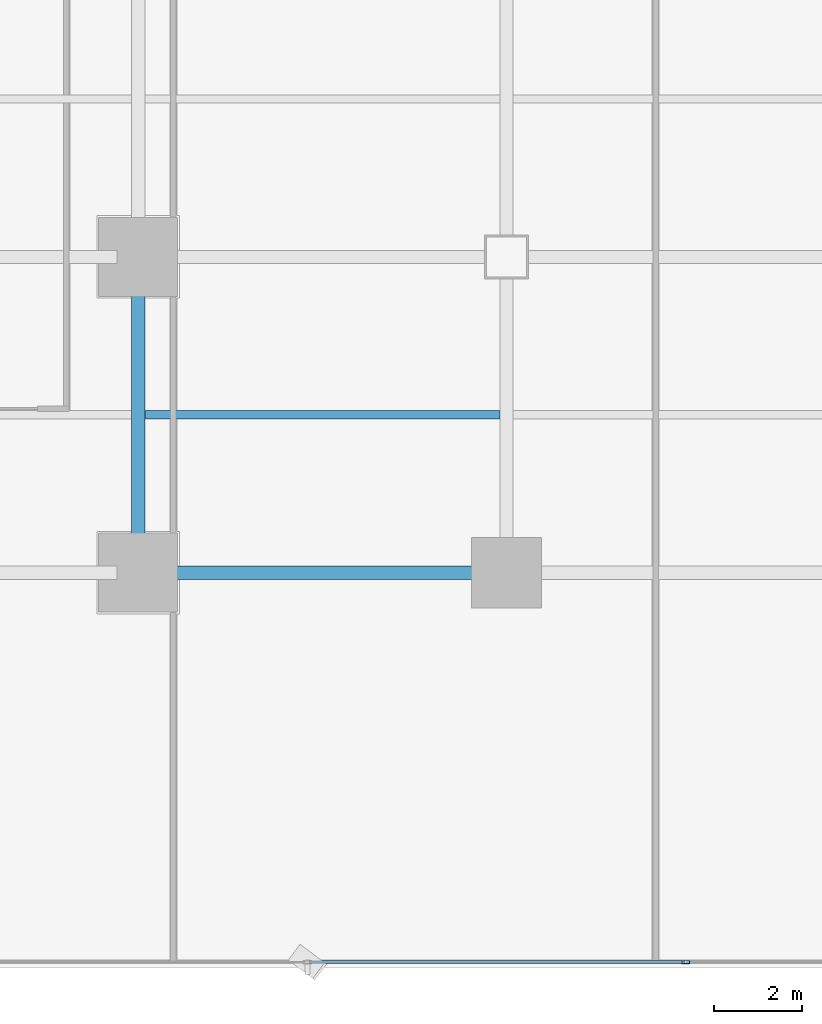
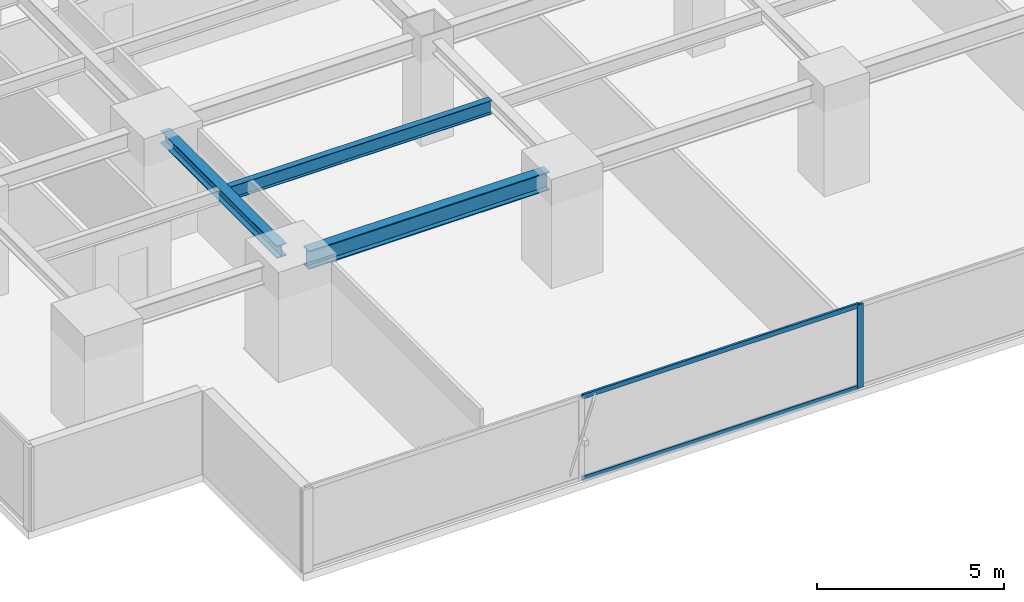
# One storey, part 4 of 33: 3 beams, 3 members, 1 element without a shape of its own.
"""IFC4 building model written with IfcOpenShell, lengths in metres."""

from ifc_helpers import new_model, si_unit, direction, frame, origin, origin_2d, place, context, subcontext, project, spatial, hollow_rectangle, i_section, extrude, source, transform, mapped, material, layer, layer_set, material_profile, profile_set, type_object, element, aggregate, save


model = new_model("IFC4")

# Units and contexts
model_context = context("Model", 3, precision=1e-05, world=origin(), true_north=direction((0.0, 1.0)))
body_context = subcontext(model_context, "Body", "Model", "MODEL_VIEW")
ifc_project = project(units=[si_unit("LENGTHUNIT", "METRE"), si_unit("AREAUNIT", "SQUARE_METRE"), si_unit("VOLUMEUNIT", "CUBIC_METRE"), si_unit("PLANEANGLEUNIT", "RADIAN"), si_unit("MASSUNIT", "GRAM", prefix="KILO")], contexts=[model_context])

# Site, building, storey
site_placement = place(None, origin())
site = spatial("IfcSite", under=ifc_project, at=site_placement, CompositionType="ELEMENT")
building_placement = place(site_placement, origin())
building = spatial("IfcBuilding", under=site, at=building_placement, Name="Sumidabori Civic Tower", CompositionType="ELEMENT")
storey_placement = place(building_placement, frame((0.0, 0.0, 23.60009765625)))
storey = spatial("IfcBuildingStorey", under=building, at=storey_placement, Name="L05", CompositionType="ELEMENT", Elevation=23.60009765625)

# Beams
ifc_material_1 = material(Name="Steel SN490", Category="steel")
ifc_material_profile_1 = material_profile(ifc_material_1, i_section(OverallWidth=0.300048828125, OverallDepth=0.60009765625, WebThickness=0.015380859375, FlangeThickness=0.030029296875, at=origin_2d()), Name="HE 600 B")
ifc_profile_set_1 = profile_set([ifc_material_profile_1], Name="Steel SN490")
beam_type_1 = type_object("IfcBeamType", Name="BM-GIRD-600", PredefinedType="BEAM", material=ifc_profile_set_1)
shared_shape_1 = source(origin(), body_context, "Body", "SweptSolid", [
    extrude(i_section(OverallWidth=0.300048828125, OverallDepth=0.60009765625, WebThickness=0.015380859375, FlangeThickness=0.030029296875, at=origin_2d()), origin(), (0.0, 0.0, 1.0), 7.440185546875),
])
beam_1_placement = place(storey_placement, frame((-16.320068359375, -18.0, 3.059814453125), z_axis=(1.0, 0.0, 0.0), x_axis=(0.0, 1.0, 0.0)))
element("IfcBeam", 1, at=beam_1_placement, inside=storey, type_object=beam_type_1, Name="Primary Girder L05 GX-02", PredefinedType="BEAM", context=body_context, shape_type="MappedRepresentation", body=[
    mapped(shared_shape_1, transform((0.0, 0.0, 0.0), x_axis=(1.0, 0.0, 0.0), y_axis=(0.0, 1.0, 0.0), z_axis=(0.0, 0.0, 1.0), scale=1.0)),
])
ifc_material_profile_2 = material_profile(ifc_material_1, i_section(OverallWidth=0.300048828125, OverallDepth=0.39990234375, WebThickness=0.013427734375, FlangeThickness=0.02392578125, at=origin_2d()), Name="HE 400 B")
ifc_profile_set_2 = profile_set([ifc_material_profile_2], Name="Steel SN490")
beam_type_2 = type_object("IfcBeamType", Name="BM-GIRD-400", PredefinedType="BEAM", material=ifc_profile_set_2)
shared_shape_2 = source(origin(), body_context, "Body", "SweptSolid", [
    extrude(i_section(OverallWidth=0.300048828125, OverallDepth=0.39990234375, WebThickness=0.013427734375, FlangeThickness=0.02392578125, at=origin_2d()), origin(), (0.0, 0.0, 1.0), 6.239990234375),
])
beam_2_placement = place(storey_placement, frame((-16.800048828125, -17.52001953125, 3.159912109375), z_axis=(0.0, 1.0, 0.0), x_axis=(-1.0, 0.0, 0.0)))
element("IfcBeam", 2, at=beam_2_placement, inside=storey, type_object=beam_type_2, Name="Primary Girder L05 GY-25", PredefinedType="BEAM", context=body_context, shape_type="MappedRepresentation", body=[
    mapped(shared_shape_2, transform((0.0, 0.0, 0.0), x_axis=(1.0, 0.0, 0.0), y_axis=(0.0, 1.0, 0.0), z_axis=(0.0, 0.0, 1.0), scale=1.0)),
])
ifc_material_profile_3 = material_profile(ifc_material_1, i_section(OverallWidth=0.18994140625, OverallDepth=0.449951171875, WebThickness=0.009521484375, FlangeThickness=0.0146484375, at=origin_2d()), Name="IPE 450")
ifc_profile_set_3 = profile_set([ifc_material_profile_3], Name="Steel SN490")
beam_type_3 = type_object("IfcBeamType", Name="BM-JST-450", PredefinedType="JOIST", material=ifc_profile_set_3)
shared_shape_3 = source(origin(), body_context, "Body", "SweptSolid", [
    extrude(i_section(OverallWidth=0.18994140625, OverallDepth=0.449951171875, WebThickness=0.009521484375, FlangeThickness=0.0146484375, at=origin_2d()), origin(), (0.0, 0.0, 1.0), 8.099853515625),
])
beam_3_placement = place(storey_placement, frame((-16.64990234375, -14.39990234375, 3.135009765625), z_axis=(1.0, 0.0, 0.0), x_axis=(0.0, 1.0, 0.0)))
element("IfcBeam", 3, at=beam_3_placement, inside=storey, type_object=beam_type_3, Name="South Bay Floor Joist L05 JSTS-61", PredefinedType="JOIST", context=body_context, shape_type="MappedRepresentation", body=[
    mapped(shared_shape_3, transform((0.0, 0.0, 0.0), x_axis=(1.0, 0.0, 0.0), y_axis=(0.0, 1.0, 0.0), z_axis=(0.0, 0.0, 1.0), scale=1.0)),
])

# Curtain wall, members
ifc_material_2 = material(Name="Anodised Bronze Aluminium AW-6063-T6", Category="aluminium")
ifc_layer = layer(ifc_material_2, 0.179931640625, Name="Anodised Bronze Aluminium AW-6063-T6")
ifc_layer_set = layer_set([ifc_layer], Name="Anodised Bronze Aluminium AW-6063-T6")
curtain_wall_type = type_object("IfcCurtainWallType", Name="CW-SYS-2", PredefinedType="NOTDEFINED", material=ifc_layer_set)
curtain_wall_placement = place(storey_placement, origin())
curtain_wall = element("IfcCurtainWall", 4, at=curtain_wall_placement, inside=storey, type_object=curtain_wall_type, Name="Curtain Wall CW:L05:R01", PredefinedType="NOTDEFINED")
ifc_material_profile_4 = material_profile(ifc_material_2, hollow_rectangle(XDim=0.070068359375, YDim=0.179931640625, WallThickness=0.006103515625, at=origin_2d()), Name="ALU MULLION 180x70")
ifc_profile_set_4 = profile_set([ifc_material_profile_4], Name="Anodised Bronze Aluminium AW-6063-T6")
member_type_1 = type_object("IfcMemberType", Name="CW-MUL-180", PredefinedType="MULLION", material=ifc_profile_set_4)
shared_shape_4 = source(origin(), body_context, "Body", "SweptSolid", [
    extrude(hollow_rectangle(XDim=0.070068359375, YDim=0.179931640625, WallThickness=0.006103515625, at=origin_2d()), origin(), (0.0, 0.0, 1.0), 2.739990234375),
])
member_1_placement = place(storey_placement, frame((-4.31396484375, -26.8798828125, 0.0), z_axis=(0.0, 0.0, 1.0), x_axis=(0.0, 1.0, 0.0)))
member_1 = element("IfcMember", 5, at=member_1_placement, type_object=member_type_1, Name="CW-2 mullion 3", PredefinedType="MULLION", context=body_context, shape_type="MappedRepresentation", body=[
    mapped(shared_shape_4, transform((0.0, 0.0, 0.0), x_axis=(1.0, 0.0, 0.0), y_axis=(0.0, 1.0, 0.0), z_axis=(0.0, 0.0, 1.0), scale=1.0)),
])
ifc_material_profile_5 = material_profile(ifc_material_2, hollow_rectangle(XDim=0.06494140625, YDim=0.14990234375, WallThickness=0.0048828125, at=origin_2d()), Name="ALU TRANSOM 150x65")
ifc_profile_set_5 = profile_set([ifc_material_profile_5], Name="Anodised Bronze Aluminium AW-6063-T6")
member_type_2 = type_object("IfcMemberType", Name="CW-TRN-150", PredefinedType="USERDEFINED", material=ifc_profile_set_5)
shared_shape_5 = source(origin(), body_context, "Body", "SweptSolid", [
    extrude(hollow_rectangle(XDim=0.06494140625, YDim=0.14990234375, WallThickness=0.0048828125, at=origin_2d()), origin(), (0.0, 0.0, 1.0), 8.557861328125),
])
member_2_placement = place(storey_placement, frame((-12.906982421875, -26.8798828125, 0.032470703125), z_axis=(1.0, 0.0, 0.0), x_axis=(0.0, 1.0, 0.0)))
member_2 = element("IfcMember", 6, at=member_2_placement, type_object=member_type_2, Name="CW-2 transom 2.1", ObjectType="TRANSOM", PredefinedType="USERDEFINED", context=body_context, shape_type="MappedRepresentation", body=[
    mapped(shared_shape_5, transform((0.0, 0.0, 0.0), x_axis=(1.0, 0.0, 0.0), y_axis=(0.0, 1.0, 0.0), z_axis=(0.0, 0.0, 1.0), scale=1.0)),
])
member_3_placement = place(storey_placement, frame((-12.906982421875, -26.8798828125, 2.70751953125), z_axis=(1.0, 0.0, 0.0), x_axis=(0.0, 1.0, 0.0)))
member_3 = element("IfcMember", 7, at=member_3_placement, type_object=member_type_2, Name="CW-2 transom 2.2", ObjectType="TRANSOM", PredefinedType="USERDEFINED", context=body_context, shape_type="MappedRepresentation", body=[
    mapped(shared_shape_5, transform((0.0, 0.0, 0.0), x_axis=(1.0, 0.0, 0.0), y_axis=(0.0, 1.0, 0.0), z_axis=(0.0, 0.0, 1.0), scale=1.0)),
])
aggregate(curtain_wall, [member_1, member_2, member_3])

save(model, "model.ifc")
